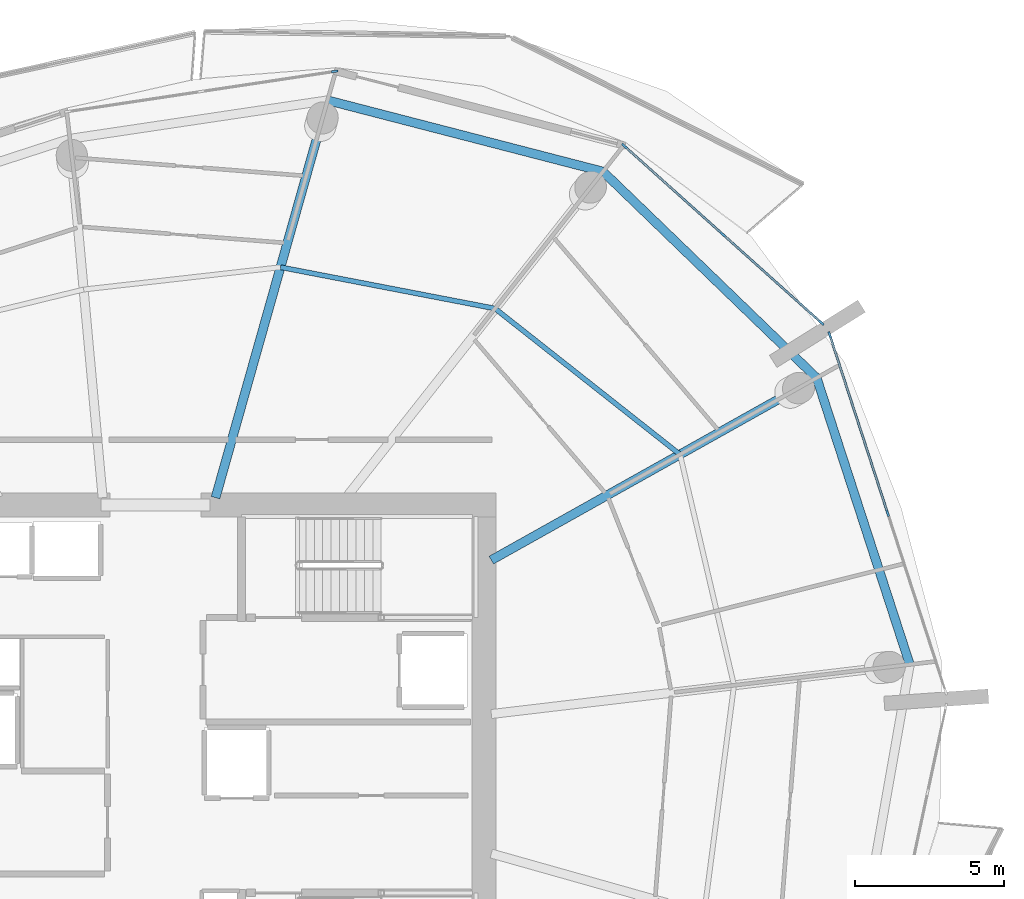
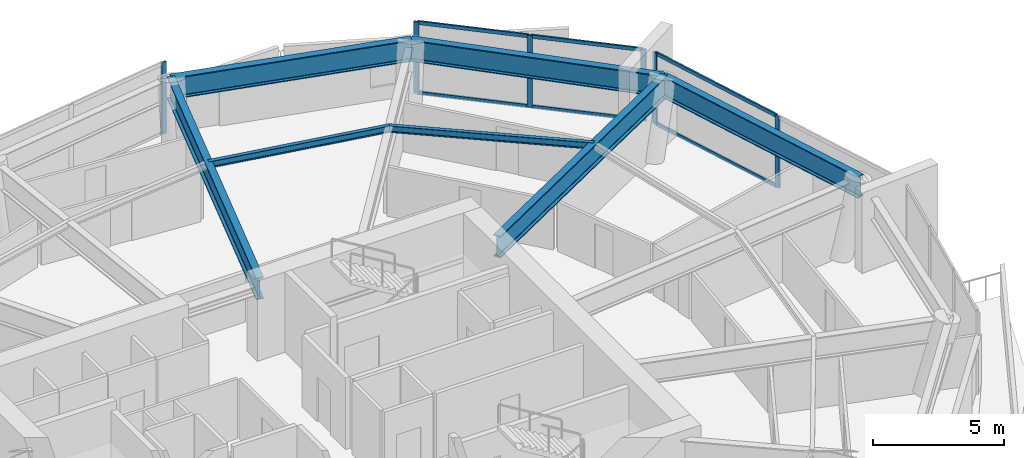
# One storey, part 8 of 19: 12 members, 7 beams, 3 elements without a shape of their own.
"""IFC4 building model written with IfcOpenShell, lengths in metres."""

from ifc_helpers import new_model, si_unit, direction, frame, origin, origin_2d, place, context, subcontext, project, spatial, rectangle, i_section, extrude, material, layer, layer_set, material_profile, profile_set, type_object, element, aggregate, save


model = new_model("IFC4")

# Units and contexts
model_context = context("Model", 3, precision=1e-05, world=origin(), true_north=direction((0.0, 1.0)))
body_context = subcontext(model_context, "Body", "Model", "MODEL_VIEW")
ifc_project = project(units=[si_unit("LENGTHUNIT", "METRE"), si_unit("AREAUNIT", "SQUARE_METRE"), si_unit("VOLUMEUNIT", "CUBIC_METRE"), si_unit("PLANEANGLEUNIT", "RADIAN"), si_unit("MASSUNIT", "GRAM", prefix="KILO")], contexts=[model_context])

# Site, building, storey
site_placement = place(None, origin())
site = spatial("IfcSite", under=ifc_project, at=site_placement, CompositionType="ELEMENT")
building_placement = place(site_placement, origin())
building = spatial("IfcBuilding", under=site, at=building_placement, Name="Kazma Halo Residences", CompositionType="ELEMENT")
storey_placement = place(building_placement, frame((0.0, 0.0, 172.800048828125)))
storey = spatial("IfcBuildingStorey", under=building, at=storey_placement, Name="L43", CompositionType="ELEMENT", Elevation=172.800048828125)

# Beams
ifc_material_1 = material(Name="Steel S355", Category="steel")
ifc_material_profile_1 = material_profile(ifc_material_1, i_section(OverallWidth=0.1650390625, OverallDepth=0.31005859375, WebThickness=0.005859375, FlangeThickness=0.009765625, FilletRadius=0.011962890625, at=origin_2d()), Name="W310x38.7")
ifc_profile_set_1 = profile_set([ifc_material_profile_1], Name="Steel S355")
beam_type_1 = type_object("IfcBeamType", Name="BM-SEC-W310B", PredefinedType="JOIST", material=ifc_profile_set_1)
beam_1_placement = place(storey_placement, frame((66.03662109375, 52.100830078125, 3.195068359375), z_axis=(-0.785122849996, 0.619340060398, 0.0), x_axis=(-0.619340060398, -0.785122849996, 0.0)))
element("IfcBeam", 1, at=beam_1_placement, inside=storey, type_object=beam_type_1, Name="L43 circumferential floor joist 01", PredefinedType="JOIST", context=body_context, shape_type="SweptSolid", body=[
    extrude(i_section(OverallWidth=0.1650390625, OverallDepth=0.31005859375, WebThickness=0.005859375, FlangeThickness=0.009765625, FilletRadius=0.011962890625, at=origin_2d()), origin(), (0.0, 0.0, 1.0), 7.9111328125),
])
beam_2_placement = place(storey_placement, frame((59.825439453125, 57.00048828125, 3.195068359375), z_axis=(-0.981944913609, 0.18916708656, 0.0), x_axis=(-0.18916708656, -0.981944913609, 0.0)))
element("IfcBeam", 2, at=beam_2_placement, inside=storey, type_object=beam_type_1, Name="L43 circumferential floor joist 02", PredefinedType="JOIST", context=body_context, shape_type="SweptSolid", body=[
    extrude(i_section(OverallWidth=0.1650390625, OverallDepth=0.31005859375, WebThickness=0.005859375, FlangeThickness=0.009765625, FilletRadius=0.011962890625, at=origin_2d()), origin(), (0.0, 0.0, 1.0), 7.3359375),
])
ifc_material_profile_2 = material_profile(ifc_material_1, i_section(OverallWidth=0.302001953125, OverallDepth=1.01806640625, WebThickness=0.021484375, FlangeThickness=0.049072265625, FilletRadius=0.028076171875, at=origin_2d()), Name="W1000x443")
ifc_profile_set_2 = profile_set([ifc_material_profile_2], Name="Steel S355")
beam_type_2 = type_object("IfcBeamType", Name="BM-TRANS-W1000A", PredefinedType="BEAM", material=ifc_profile_set_2)
beam_3_placement = place(storey_placement, frame((59.699951171875, 48.55224609375, 2.841064453125), z_axis=(0.872493048982, 0.48862652351, 0.0), x_axis=(-0.48862652351, 0.872493048982, 0.0)))
element("IfcBeam", 3, at=beam_3_placement, inside=storey, type_object=beam_type_2, Name="L43 podium radial transfer girder 01", PredefinedType="BEAM", context=body_context, shape_type="SweptSolid", body=[
    extrude(i_section(OverallWidth=0.302001953125, OverallDepth=1.01806640625, WebThickness=0.021484375, FlangeThickness=0.049072265625, FilletRadius=0.028076171875, at=origin_2d()), origin(), (0.0, 0.0, 1.0), 12.521728515625),
])
beam_4_placement = place(storey_placement, frame((50.439697265625, 50.64990234375, 2.841064453125), z_axis=(0.27143506632, 0.962456754754, 0.0), x_axis=(-0.962456754754, 0.27143506632, 0.0)))
element("IfcBeam", 4, at=beam_4_placement, inside=storey, type_object=beam_type_2, Name="L43 podium radial transfer girder 03", PredefinedType="BEAM", context=body_context, shape_type="SweptSolid", body=[
    extrude(i_section(OverallWidth=0.302001953125, OverallDepth=1.01806640625, WebThickness=0.021484375, FlangeThickness=0.049072265625, FilletRadius=0.028076171875, at=origin_2d()), origin(), (0.0, 0.0, 1.0), 13.8623046875),
])
ifc_material_profile_3 = material_profile(ifc_material_1, i_section(OverallWidth=0.300048828125, OverallDepth=1.0, WebThickness=0.01904296875, FlangeThickness=0.0400390625, FilletRadius=0.02587890625, at=origin_2d()), Name="W1000x371")
ifc_profile_set_3 = profile_set([ifc_material_profile_3], Name="Steel S355")
beam_type_3 = type_object("IfcBeamType", Name="BM-TRANS-W1000B", PredefinedType="BEAM", material=ifc_profile_set_3)
beam_5_placement = place(storey_placement, frame((70.625, 54.670654296875, 2.849853515625), z_axis=(-0.71933650181, 0.694661786169, 0.0), x_axis=(-0.694661786169, -0.71933650181, 0.0)))
element("IfcBeam", 5, at=beam_5_placement, inside=storey, type_object=beam_type_3, Name="L43 perimeter ring beam 01", PredefinedType="BEAM", context=body_context, shape_type="SweptSolid", body=[
    extrude(i_section(OverallWidth=0.300048828125, OverallDepth=1.0, WebThickness=0.01904296875, FlangeThickness=0.0400390625, FilletRadius=0.02587890625, at=origin_2d()), origin(), (0.0, 0.0, 1.0), 9.9736328125),
])
beam_6_placement = place(storey_placement, frame((63.45068359375, 61.598876953125, 2.849853515625), z_axis=(-0.968120950739, 0.25048318255, 0.0), x_axis=(-0.25048318255, -0.968120950739, 0.0)))
element("IfcBeam", 6, at=beam_6_placement, inside=storey, type_object=beam_type_3, Name="L43 perimeter ring beam 02", PredefinedType="BEAM", context=body_context, shape_type="SweptSolid", body=[
    extrude(i_section(OverallWidth=0.300048828125, OverallDepth=1.0, WebThickness=0.01904296875, FlangeThickness=0.0400390625, FilletRadius=0.02587890625, at=origin_2d()), origin(), (0.0, 0.0, 1.0), 9.552734375),
])
beam_7_placement = place(storey_placement, frame((73.751708984375, 45.0478515625, 2.849853515625), z_axis=(-0.309023327426, 0.951054458539, 0.0), x_axis=(-0.951054458539, -0.309023327426, 0.0)))
element("IfcBeam", 7, at=beam_7_placement, inside=storey, type_object=beam_type_3, Name="L43 perimeter ring beam 16", PredefinedType="BEAM", context=body_context, shape_type="SweptSolid", body=[
    extrude(i_section(OverallWidth=0.300048828125, OverallDepth=1.0, WebThickness=0.01904296875, FlangeThickness=0.0400390625, FilletRadius=0.02587890625, at=origin_2d()), origin(), (0.0, 0.0, 1.0), 10.117919921875),
])

# Curtain wall, members
ifc_material_2 = material(Name="Aluminium AW-6063 T6 and Triple-Silver Low-E Glass", Category="aluminium")
ifc_layer = layer(ifc_material_2, 0.219970703125)
ifc_layer_set = layer_set([ifc_layer], Name="Aluminium AW-6063 T6 and Triple-Silver Low-E Glass")
curtain_wall_type = type_object("IfcCurtainWallType", Name="CW-SYS-4", PredefinedType="NOTDEFINED", material=ifc_layer_set)
curtain_wall_1_placement = place(storey_placement, origin())
curtain_wall_1 = element("IfcCurtainWall", 8, at=curtain_wall_1_placement, inside=storey, type_object=curtain_wall_type, Name="L43 unitised curtain wall B01", PredefinedType="NOTDEFINED")
ifc_material_3 = material(Name="Aluminium AW-6063 T6", Category="aluminium")
ifc_material_profile_4 = material_profile(ifc_material_3, rectangle(XDim=0.074951171875, YDim=0.219970703125, at=origin_2d()), Name="CWM-75x220")
ifc_profile_set_4 = profile_set([ifc_material_profile_4], Name="Aluminium AW-6063 T6")
member_type_1 = type_object("IfcMemberType", Name="CW-SYS-4-MUL", PredefinedType="MULLION", material=ifc_profile_set_4)
member_1_placement = place(storey_placement, frame((70.778564453125, 56.5263671875, 0.0), z_axis=(0.0, 0.0, 1.0), x_axis=(-0.667770096247, -0.744367582957, 0.0)))
member_1 = element("IfcMember", 9, at=member_1_placement, type_object=member_type_1, Name="CWS-4 mullion 1", PredefinedType="MULLION", context=body_context, shape_type="SweptSolid", body=[
    extrude(rectangle(XDim=0.074951171875, YDim=0.219970703125, at=origin_2d()), origin(), (0.0, 0.0, 1.0), 3.349853515625),
])
member_2_placement = place(storey_placement, frame((67.47509765625, 59.48974609375, 0.0), z_axis=(0.0, 0.0, 1.0), x_axis=(-0.667770096247, -0.744367582957, 0.0)))
member_2 = element("IfcMember", 10, at=member_2_placement, type_object=member_type_1, Name="CWS-4 mullion 2", PredefinedType="MULLION", context=body_context, shape_type="SweptSolid", body=[
    extrude(rectangle(XDim=0.074951171875, YDim=0.219970703125, at=origin_2d()), origin(), (0.0, 0.0, 1.0), 3.349853515625),
])
member_3_placement = place(storey_placement, frame((64.171630859375, 62.453369140625, 0.0), z_axis=(0.0, 0.0, 1.0), x_axis=(-0.667770096247, -0.744367582957, 0.0)))
member_3 = element("IfcMember", 11, at=member_3_placement, type_object=member_type_1, Name="CWS-4 mullion 3", PredefinedType="MULLION", context=body_context, shape_type="SweptSolid", body=[
    extrude(rectangle(XDim=0.074951171875, YDim=0.219970703125, at=origin_2d()), origin(), (0.0, 0.0, 1.0), 3.349853515625),
])

# Curtain wall, member
curtain_wall_2_placement = place(storey_placement, origin())
curtain_wall_2 = element("IfcCurtainWall", 12, at=curtain_wall_2_placement, inside=storey, type_object=curtain_wall_type, Name="L43 unitised curtain wall B03", PredefinedType="NOTDEFINED")
member_4_placement = place(storey_placement, frame((54.440673828125, 64.962890625, 0.0), z_axis=(0.0, 0.0, 1.0), x_axis=(0.148821022686, -0.988864148004, 0.0)))
member_4 = element("IfcMember", 13, at=member_4_placement, type_object=member_type_1, Name="CWS-4 mullion 1", PredefinedType="MULLION", context=body_context, shape_type="SweptSolid", body=[
    extrude(rectangle(XDim=0.074951171875, YDim=0.219970703125, at=origin_2d()), origin(), (0.0, 0.0, 1.0), 3.349853515625),
])
aggregate(curtain_wall_2, [member_4])

# Curtain wall, members
curtain_wall_3_placement = place(storey_placement, origin())
curtain_wall_3 = element("IfcCurtainWall", 14, at=curtain_wall_3_placement, inside=storey, type_object=curtain_wall_type, Name="L43 unitised curtain wall B16", PredefinedType="NOTDEFINED")
member_5_placement = place(storey_placement, frame((73.009033203125, 50.1259765625, 0.0), z_axis=(0.0, 0.0, 1.0), x_axis=(-0.951057547609, -0.3090138203, 0.0)))
member_5 = element("IfcMember", 15, at=member_5_placement, type_object=member_type_1, Name="CWS-4 mullion 2", PredefinedType="MULLION", context=body_context, shape_type="SweptSolid", body=[
    extrude(rectangle(XDim=0.074951171875, YDim=0.219970703125, at=origin_2d()), origin(), (0.0, 0.0, 1.0), 3.349853515625),
])
member_6_placement = place(storey_placement, frame((71.062255859375, 56.117431640625, 0.0), z_axis=(0.0, 0.0, 1.0), x_axis=(-0.951057547609, -0.3090138203, 0.0)))
member_6 = element("IfcMember", 16, at=member_6_placement, type_object=member_type_1, Name="CWS-4 mullion 3", PredefinedType="MULLION", context=body_context, shape_type="SweptSolid", body=[
    extrude(rectangle(XDim=0.074951171875, YDim=0.219970703125, at=origin_2d()), origin(), (0.0, 0.0, 1.0), 3.349853515625),
])

# Member
ifc_material_profile_5 = material_profile(ifc_material_3, rectangle(XDim=0.074951171875, YDim=0.1650390625, at=origin_2d()), Name="CWT-75x165")
ifc_profile_set_5 = profile_set([ifc_material_profile_5], Name="Aluminium AW-6063 T6")
member_type_2 = type_object("IfcMemberType", Name="CW-SYS-4-TRN", PredefinedType="USERDEFINED", material=ifc_profile_set_5)
member_7_placement = place(storey_placement, frame((70.75048828125, 56.55126953125, 0.037353515625), z_axis=(-0.744344978888, 0.66779529229, 0.0), x_axis=(-0.66779529229, -0.744344978888, 0.0)))
member_7 = element("IfcMember", 17, at=member_7_placement, type_object=member_type_2, Name="CWS-4 transom 1.1", ObjectType="TRANSOM", PredefinedType="USERDEFINED", context=body_context, shape_type="SweptSolid", body=[
    extrude(rectangle(XDim=0.074951171875, YDim=0.1650390625, at=origin_2d()), origin(), (0.0, 0.0, 1.0), 4.363037109375),
])

member_8_placement = place(storey_placement, frame((70.75048828125, 56.55126953125, 3.3125), z_axis=(-0.744344978888, 0.66779529229, 0.0), x_axis=(-0.66779529229, -0.744344978888, 0.0)))
member_8 = element("IfcMember", 18, at=member_8_placement, type_object=member_type_2, Name="CWS-4 transom 1.2", ObjectType="TRANSOM", PredefinedType="USERDEFINED", context=body_context, shape_type="SweptSolid", body=[
    extrude(rectangle(XDim=0.074951171875, YDim=0.1650390625, at=origin_2d()), origin(), (0.0, 0.0, 1.0), 4.363037109375),
])

member_9_placement = place(storey_placement, frame((67.447265625, 59.514892578125, 0.037353515625), z_axis=(-0.744372794017, 0.667764287401, 0.0), x_axis=(-0.667764287401, -0.744372794017, 0.0)))
member_9 = element("IfcMember", 19, at=member_9_placement, type_object=member_type_2, Name="CWS-4 transom 2.1", ObjectType="TRANSOM", PredefinedType="USERDEFINED", context=body_context, shape_type="SweptSolid", body=[
    extrude(rectangle(XDim=0.074951171875, YDim=0.1650390625, at=origin_2d()), origin(), (0.0, 0.0, 1.0), 4.36279296875),
])

member_10_placement = place(storey_placement, frame((67.447265625, 59.514892578125, 3.3125), z_axis=(-0.744372794017, 0.667764287401, 0.0), x_axis=(-0.667764287401, -0.744372794017, 0.0)))
member_10 = element("IfcMember", 20, at=member_10_placement, type_object=member_type_2, Name="CWS-4 transom 2.2", ObjectType="TRANSOM", PredefinedType="USERDEFINED", context=body_context, shape_type="SweptSolid", body=[
    extrude(rectangle(XDim=0.074951171875, YDim=0.1650390625, at=origin_2d()), origin(), (0.0, 0.0, 1.0), 4.36279296875),
])

aggregate(curtain_wall_1, [member_1, member_2, member_3, member_7, member_8, member_9, member_10])

member_11_placement = place(storey_placement, frame((72.99755859375, 50.16162109375, 0.037353515625), z_axis=(-0.309017784977, 0.951056259413, 0.0), x_axis=(-0.951056259413, -0.309017784977, 0.0)))
member_11 = element("IfcMember", 21, at=member_11_placement, type_object=member_type_2, Name="CWS-4 transom 2.1", ObjectType="TRANSOM", PredefinedType="USERDEFINED", context=body_context, shape_type="SweptSolid", body=[
    extrude(rectangle(XDim=0.074951171875, YDim=0.1650390625, at=origin_2d()), origin(), (0.0, 0.0, 1.0), 6.224853515625),
])

member_12_placement = place(storey_placement, frame((72.99755859375, 50.16162109375, 3.3125), z_axis=(-0.309017784977, 0.951056259413, 0.0), x_axis=(-0.951056259413, -0.309017784977, 0.0)))
member_12 = element("IfcMember", 22, at=member_12_placement, type_object=member_type_2, Name="CWS-4 transom 2.2", ObjectType="TRANSOM", PredefinedType="USERDEFINED", context=body_context, shape_type="SweptSolid", body=[
    extrude(rectangle(XDim=0.074951171875, YDim=0.1650390625, at=origin_2d()), origin(), (0.0, 0.0, 1.0), 6.224853515625),
])

aggregate(curtain_wall_3, [member_5, member_6, member_11, member_12])

save(model, "model.ifc")
